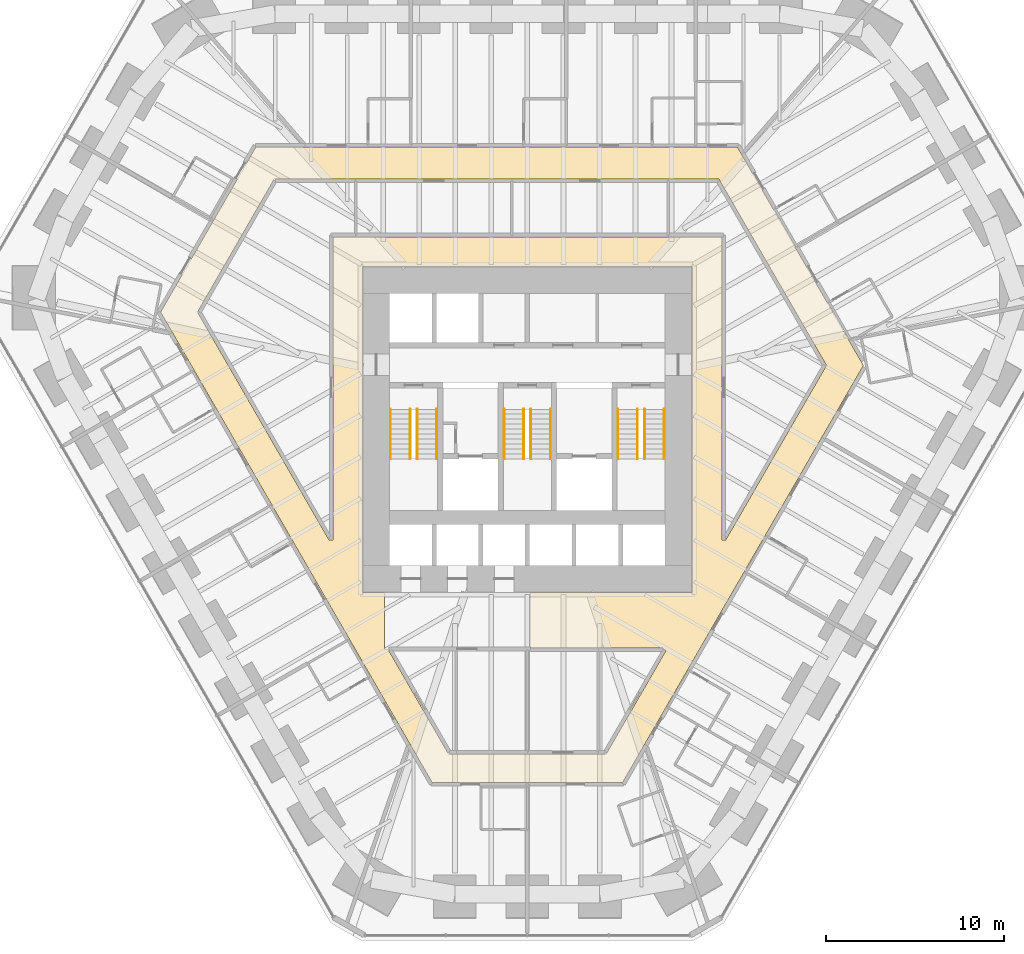
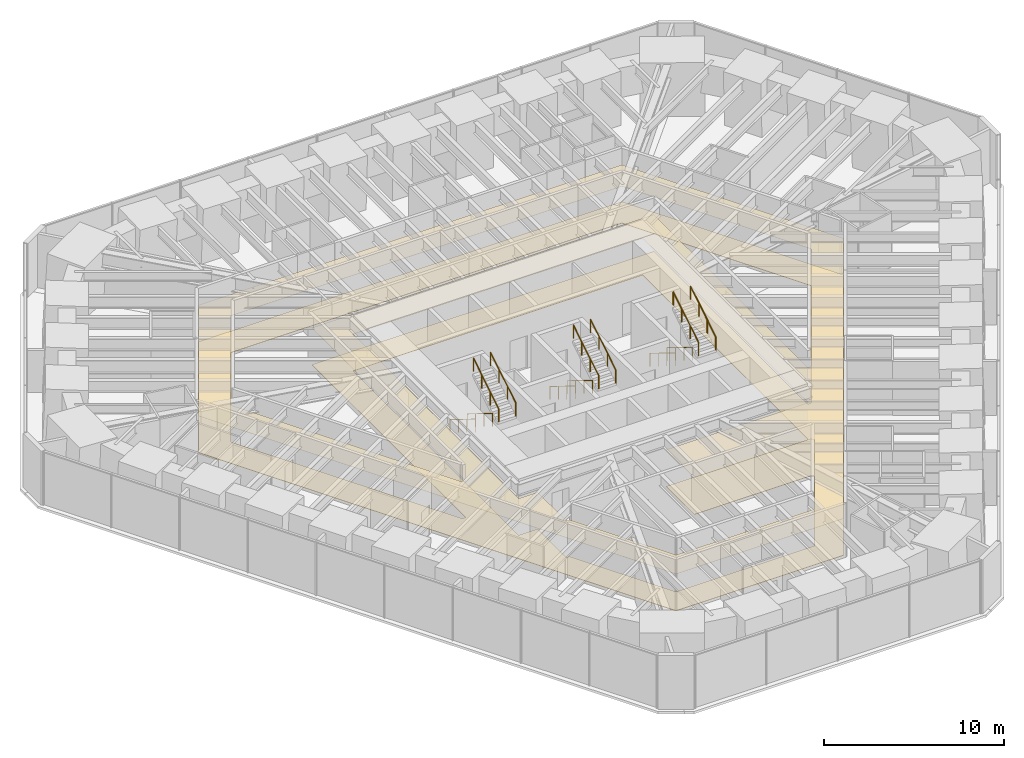
# One storey, part 17 of 17: 12 railings, 2 coverings.
"""IFC4 building model written with IfcOpenShell, lengths in metres."""

from ifc_helpers import new_model, si_unit, direction, frame, origin, origin_2d, place, context, subcontext, project, spatial, polyline, circle, outline, extrude, material, layer, layer_set, type_object, element, save


model = new_model("IFC4")

# Units and contexts
model_context = context("Model", 3, precision=1e-05, world=origin(), true_north=direction((0.0, 1.0)))
body_context = subcontext(model_context, "Body", "Model", "MODEL_VIEW")
ifc_project = project(units=[si_unit("LENGTHUNIT", "METRE"), si_unit("AREAUNIT", "SQUARE_METRE"), si_unit("VOLUMEUNIT", "CUBIC_METRE"), si_unit("PLANEANGLEUNIT", "RADIAN"), si_unit("MASSUNIT", "GRAM", prefix="KILO")], contexts=[model_context])

# Site, building, storey
site_placement = place(None, origin())
site = spatial("IfcSite", under=ifc_project, at=site_placement, CompositionType="ELEMENT")
building_placement = place(site_placement, origin())
building = spatial("IfcBuilding", under=site, at=building_placement, Name="Sandreach Pilgrim Tower", CompositionType="ELEMENT")
storey_placement = place(building_placement, frame((0.0, 0.0, 76.199951171875)))
storey = spatial("IfcBuildingStorey", under=building, at=storey_placement, Name="L18", CompositionType="ELEMENT", Elevation=76.199951171875)

# Covering
ifc_material_1 = material(Name="Gypsum board suspended ceiling on a steel grid", Category="steel")
ifc_layer_1 = layer(ifc_material_1, 0.012939453125)
ifc_layer_set_1 = layer_set([ifc_layer_1], Name="Gypsum board suspended ceiling")
covering_type_1 = type_object("IfcCoveringType", Name="Gypsum board suspended ceiling", PredefinedType="CEILING", material=ifc_layer_set_1)
covering_1_placement = place(storey_placement, frame((0.0, 0.0, 2.5)))
element("IfcCovering", 1, at=covering_1_placement, inside=storey, type_object=covering_type_1, Name="Ceiling 18C Corridor 18", PredefinedType="CEILING", context=body_context, shape_type="SweptSolid", body=[
    extrude(outline(polyline([(-5.3623046875, -21.409912109375), (-20.64453125, 5.059814453125), (-15.2822265625, 14.35009765625), (11.82177734375, 14.35009765625), (18.91455078125, 2.06005859375), (5.3623046875, -21.409912109375), (-5.3623046875, -21.409912109375)]), holes=[polyline([(-11.16552734375, -7.760009765625), (-10.949951171875, -7.760009765625), (-10.949951171875, 9.300048828125), (10.949951171875, 9.300048828125), (10.949951171875, -7.760009765625), (11.16552734375, -7.760009765625), (16.83544921875, 2.06005859375), (10.77783203125, 12.550048828125), (-14.247802734375, 12.550048828125), (-18.5654296875, 5.06005859375), (-11.16552734375, -7.760009765625)]), polyline([(-8.050048828125, -10.719970703125), (-8.050048828125, -13.89990234375), (-7.8544921875, -13.89990234375), (-4.437744140625, -19.81005859375), (4.437744140625, -19.81005859375), (7.796630859375, -14.0), (7.635009765625, -13.85009765625), (0.179931640625, -13.85009765625), (0.175048828125, -10.719970703125), (9.27001953125, -10.719970703125), (9.27001953125, 7.6201171875), (-9.27001953125, 7.6201171875), (-9.27001953125, -10.719970703125), (-8.050048828125, -10.719970703125)])]), origin(), (0.0, 0.0, 1.0), 0.012939453125),
])

# Railings
ifc_material_2 = material(Name="Stainless steel tube", Category="steel")
railing_type = type_object("IfcRailingType", Name="Stair handrail", PredefinedType="HANDRAIL", material=ifc_material_2)
for number, where, name in (
    (2, (-6.60009765625, -0.39990234375, 0.1728515625), "Handrail ST1 L18 flight 1"),
    (3, (-7.699951171875, -0.39990234375, 0.1728515625), "Handrail ST1 L18 flight 1"),
):
    element("IfcRailing", number, at=place(storey_placement, frame(where)), inside=storey, type_object=railing_type, Name=name, PredefinedType="HANDRAIL", context=body_context, shape_type="SweptSolid", body=[
        extrude(circle(Radius=0.02392578125, at=origin_2d()), frame((0.0, 0.0, 0.8759765625), z_axis=(0.0, -0.851089632645, 0.525020415988), x_axis=(1.0, 0.0, 0.0)), (0.0, 0.0, 1.0), 3.2900390625),
        extrude(circle(Radius=0.02099609375, at=origin_2d()), origin(), (0.0, 0.0, 1.0), 0.851806640625),
        extrude(circle(Radius=0.02099609375, at=origin_2d()), frame((0.0, -0.933349609375, 0.57568359375)), (0.0, 0.0, 1.0), 0.851806640625),
        extrude(circle(Radius=0.02099609375, at=origin_2d()), frame((0.0, -1.86669921875, 1.151611328125)), (0.0, 0.0, 1.0), 0.851806640625),
        extrude(circle(Radius=0.02099609375, at=origin_2d()), frame((0.0, -2.800048828125, 1.727294921875)), (0.0, 0.0, 1.0), 0.851806640625),
    ])
for number, where, name in (
    (4, (-6.199951171875, -3.199951171875, 2.07275390625), "Handrail ST1 L18 flight 2"),
    (5, (-5.10009765625, -3.199951171875, 2.07275390625), "Handrail ST1 L18 flight 2"),
):
    element("IfcRailing", number, at=place(storey_placement, frame(where)), inside=storey, type_object=railing_type, Name=name, PredefinedType="HANDRAIL", context=body_context, shape_type="SweptSolid", body=[
        extrude(circle(Radius=0.02392578125, at=origin_2d()), frame((0.0, 0.0, 0.8759765625), z_axis=(0.0, 0.851089632645, 0.525020415988), x_axis=(-1.0, 0.0, 0.0)), (0.0, 0.0, 1.0), 3.2900390625),
        extrude(circle(Radius=0.02099609375, at=origin_2d()), origin(), (0.0, 0.0, 1.0), 0.851806640625),
        extrude(circle(Radius=0.02099609375, at=origin_2d()), frame((0.0, 0.933349609375, 0.57568359375)), (0.0, 0.0, 1.0), 0.851806640625),
        extrude(circle(Radius=0.02099609375, at=origin_2d()), frame((0.0, 1.86669921875, 1.151611328125)), (0.0, 0.0, 1.0), 0.851806640625),
        extrude(circle(Radius=0.02099609375, at=origin_2d()), frame((0.0, 2.800048828125, 1.727294921875)), (0.0, 0.0, 1.0), 0.851806640625),
    ])
for number, where, name in (
    (6, (-0.199951171875, -0.39990234375, 0.1728515625), "Handrail ST3 L18 flight 1"),
    (7, (-1.300048828125, -0.39990234375, 0.1728515625), "Handrail ST3 L18 flight 1"),
):
    element("IfcRailing", number, at=place(storey_placement, frame(where)), inside=storey, type_object=railing_type, Name=name, PredefinedType="HANDRAIL", context=body_context, shape_type="SweptSolid", body=[
        extrude(circle(Radius=0.02392578125, at=origin_2d()), frame((0.0, 0.0, 0.8759765625), z_axis=(0.0, -0.851089632645, 0.525020415988), x_axis=(1.0, 0.0, 0.0)), (0.0, 0.0, 1.0), 3.2900390625),
        extrude(circle(Radius=0.02099609375, at=origin_2d()), origin(), (0.0, 0.0, 1.0), 0.851806640625),
        extrude(circle(Radius=0.02099609375, at=origin_2d()), frame((0.0, -0.933349609375, 0.57568359375)), (0.0, 0.0, 1.0), 0.851806640625),
        extrude(circle(Radius=0.02099609375, at=origin_2d()), frame((0.0, -1.86669921875, 1.151611328125)), (0.0, 0.0, 1.0), 0.851806640625),
        extrude(circle(Radius=0.02099609375, at=origin_2d()), frame((0.0, -2.800048828125, 1.727294921875)), (0.0, 0.0, 1.0), 0.851806640625),
    ])
for number, where, name in (
    (8, (0.199951171875, -3.199951171875, 2.07275390625), "Handrail ST3 L18 flight 2"),
    (9, (1.300048828125, -3.199951171875, 2.07275390625), "Handrail ST3 L18 flight 2"),
):
    element("IfcRailing", number, at=place(storey_placement, frame(where)), inside=storey, type_object=railing_type, Name=name, PredefinedType="HANDRAIL", context=body_context, shape_type="SweptSolid", body=[
        extrude(circle(Radius=0.02392578125, at=origin_2d()), frame((0.0, 0.0, 0.8759765625), z_axis=(0.0, 0.851089632645, 0.525020415988), x_axis=(-1.0, 0.0, 0.0)), (0.0, 0.0, 1.0), 3.2900390625),
        extrude(circle(Radius=0.02099609375, at=origin_2d()), origin(), (0.0, 0.0, 1.0), 0.851806640625),
        extrude(circle(Radius=0.02099609375, at=origin_2d()), frame((0.0, 0.933349609375, 0.57568359375)), (0.0, 0.0, 1.0), 0.851806640625),
        extrude(circle(Radius=0.02099609375, at=origin_2d()), frame((0.0, 1.86669921875, 1.151611328125)), (0.0, 0.0, 1.0), 0.851806640625),
        extrude(circle(Radius=0.02099609375, at=origin_2d()), frame((0.0, 2.800048828125, 1.727294921875)), (0.0, 0.0, 1.0), 0.851806640625),
    ])
for number, where, name in (
    (10, (6.199951171875, -0.39990234375, 0.1728515625), "Handrail ST2 L18 flight 1"),
    (11, (5.10009765625, -0.39990234375, 0.1728515625), "Handrail ST2 L18 flight 1"),
):
    element("IfcRailing", number, at=place(storey_placement, frame(where)), inside=storey, type_object=railing_type, Name=name, PredefinedType="HANDRAIL", context=body_context, shape_type="SweptSolid", body=[
        extrude(circle(Radius=0.02392578125, at=origin_2d()), frame((0.0, 0.0, 0.8759765625), z_axis=(0.0, -0.851089632645, 0.525020415988), x_axis=(1.0, 0.0, 0.0)), (0.0, 0.0, 1.0), 3.2900390625),
        extrude(circle(Radius=0.02099609375, at=origin_2d()), origin(), (0.0, 0.0, 1.0), 0.851806640625),
        extrude(circle(Radius=0.02099609375, at=origin_2d()), frame((0.0, -0.933349609375, 0.57568359375)), (0.0, 0.0, 1.0), 0.851806640625),
        extrude(circle(Radius=0.02099609375, at=origin_2d()), frame((0.0, -1.86669921875, 1.151611328125)), (0.0, 0.0, 1.0), 0.851806640625),
        extrude(circle(Radius=0.02099609375, at=origin_2d()), frame((0.0, -2.800048828125, 1.727294921875)), (0.0, 0.0, 1.0), 0.851806640625),
    ])
for number, where, name in (
    (12, (6.60009765625, -3.199951171875, 2.07275390625), "Handrail ST2 L18 flight 2"),
    (13, (7.699951171875, -3.199951171875, 2.07275390625), "Handrail ST2 L18 flight 2"),
):
    element("IfcRailing", number, at=place(storey_placement, frame(where)), inside=storey, type_object=railing_type, Name=name, PredefinedType="HANDRAIL", context=body_context, shape_type="SweptSolid", body=[
        extrude(circle(Radius=0.02392578125, at=origin_2d()), frame((0.0, 0.0, 0.8759765625), z_axis=(0.0, 0.851089632645, 0.525020415988), x_axis=(-1.0, 0.0, 0.0)), (0.0, 0.0, 1.0), 3.2900390625),
        extrude(circle(Radius=0.02099609375, at=origin_2d()), origin(), (0.0, 0.0, 1.0), 0.851806640625),
        extrude(circle(Radius=0.02099609375, at=origin_2d()), frame((0.0, 0.933349609375, 0.57568359375)), (0.0, 0.0, 1.0), 0.851806640625),
        extrude(circle(Radius=0.02099609375, at=origin_2d()), frame((0.0, 1.86669921875, 1.151611328125)), (0.0, 0.0, 1.0), 0.851806640625),
        extrude(circle(Radius=0.02099609375, at=origin_2d()), frame((0.0, 2.800048828125, 1.727294921875)), (0.0, 0.0, 1.0), 0.851806640625),
    ])

# Covering
ifc_material_3 = material(Name="Cement terrazzo, ground and polished", Category="terrazzo")
ifc_layer_2 = layer(ifc_material_3, 0.02490234375)
ifc_layer_set_2 = layer_set([ifc_layer_2], Name="Terrazzo")
covering_type_2 = type_object("IfcCoveringType", Name="Terrazzo", PredefinedType="FLOORING", material=ifc_layer_set_2)
covering_2_placement = place(storey_placement, origin())
element("IfcCovering", 14, at=covering_2_placement, inside=storey, type_object=covering_type_2, Name="Floor finish 18C Corridor 18", PredefinedType="FLOORING", context=body_context, shape_type="SweptSolid", body=[
    extrude(outline(polyline([(-5.3623046875, -21.409912109375), (-20.64453125, 5.059814453125), (-15.2822265625, 14.35009765625), (11.82177734375, 14.35009765625), (18.91455078125, 2.06005859375), (5.3623046875, -21.409912109375), (-5.3623046875, -21.409912109375)]), holes=[polyline([(-11.16552734375, -7.760009765625), (-10.949951171875, -7.760009765625), (-10.949951171875, 9.300048828125), (10.949951171875, 9.300048828125), (10.949951171875, -7.760009765625), (11.16552734375, -7.760009765625), (16.83544921875, 2.06005859375), (10.77783203125, 12.550048828125), (-14.247802734375, 12.550048828125), (-18.5654296875, 5.06005859375), (-11.16552734375, -7.760009765625)]), polyline([(-8.050048828125, -10.719970703125), (-8.050048828125, -13.89990234375), (-7.8544921875, -13.89990234375), (-4.437744140625, -19.81005859375), (4.437744140625, -19.81005859375), (7.796630859375, -14.0), (7.635009765625, -13.85009765625), (0.179931640625, -13.85009765625), (0.175048828125, -10.719970703125), (9.27001953125, -10.719970703125), (9.27001953125, 7.6201171875), (-9.27001953125, 7.6201171875), (-9.27001953125, -10.719970703125), (-8.050048828125, -10.719970703125)])]), origin(), (0.0, 0.0, 1.0), 0.025146484375),
])

save(model, "model.ifc")
